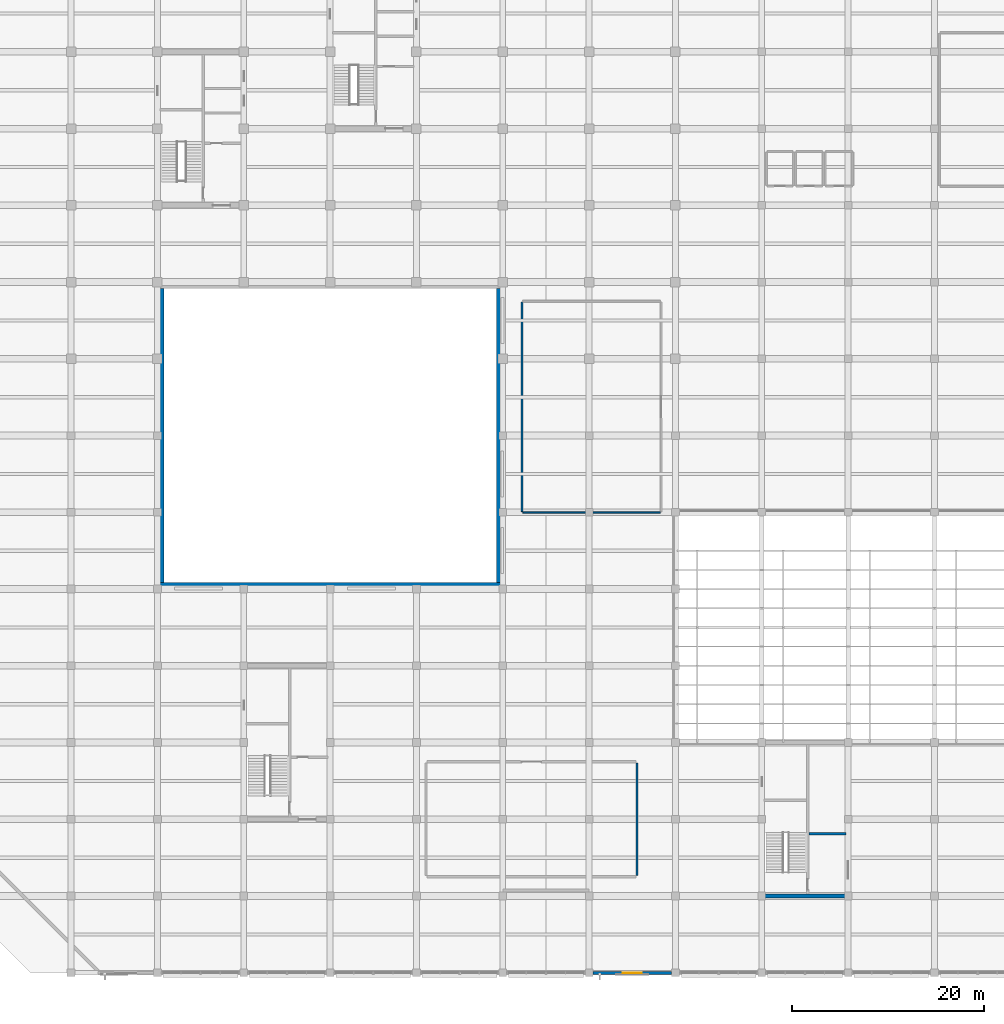
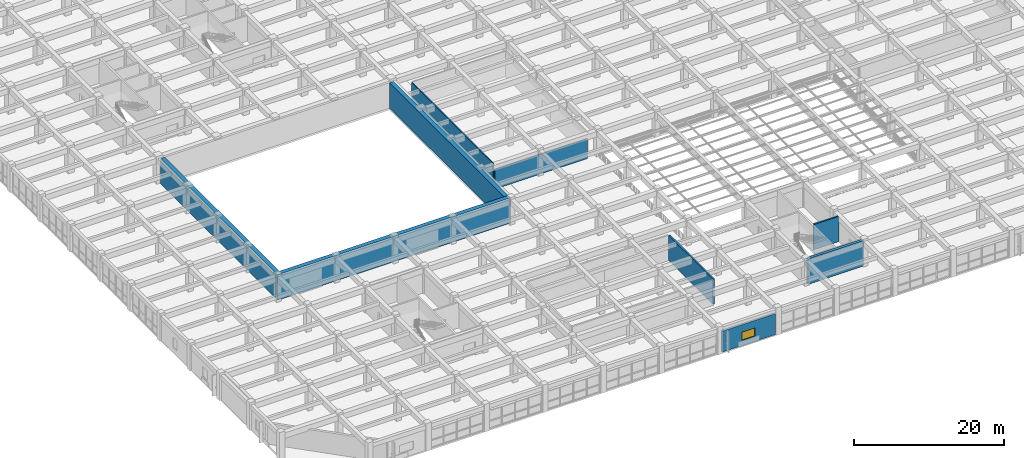
# One storey, part 26 of 50: 9 walls, 1 window, 1 opening.
"""IFC4 building model written with IfcOpenShell, lengths in metres."""

from ifc_helpers import new_model, si_unit, direction, frame, frame_2d, origin, place, context, subcontext, project, spatial, rectangle, extrude, material, layer, layer_set, type_object, element, fill, save


model = new_model("IFC4")

# Units and contexts
model_context = context("Model", 3, precision=1e-05, world=origin(), true_north=direction((0.0, 1.0)))
body_context = subcontext(model_context, "Body", "Model", "MODEL_VIEW")
ifc_project = project(units=[si_unit("LENGTHUNIT", "METRE"), si_unit("AREAUNIT", "SQUARE_METRE"), si_unit("VOLUMEUNIT", "CUBIC_METRE"), si_unit("PLANEANGLEUNIT", "RADIAN"), si_unit("MASSUNIT", "GRAM", prefix="KILO")], contexts=[model_context])

# Site, building, storey
site_placement = place(None, origin())
site = spatial("IfcSite", under=ifc_project, at=site_placement, CompositionType="ELEMENT")
building_placement = place(site_placement, origin())
building = spatial("IfcBuilding", under=site, at=building_placement, Name="Zaverband Oceanarium and Marine Research Institute", CompositionType="ELEMENT")
storey_placement = place(building_placement, frame((0.0, 0.0, 9.0)))
storey = spatial("IfcBuildingStorey", under=building, at=storey_placement, Name="L02", CompositionType="ELEMENT", Elevation=9.0)

# Wall
ifc_material_1 = material(Name="Concrete C50/60", Category="concrete")
ifc_layer_1 = layer(ifc_material_1, 0.449951171875, Name="Concrete C50/60")
ifc_layer_set_1 = layer_set([ifc_layer_1], Name="Concrete C50/60")
wall_type_1 = type_object("IfcWallType", Name="CW-02", PredefinedType="SHEAR", material=ifc_layer_set_1)
wall_1_placement = place(storey_placement, frame((81.22509765625, 8.0, 0.0), z_axis=(0.0, 0.0, 1.0), x_axis=(1.0, 0.0, 0.0)))
element("IfcWall", 1, at=wall_1_placement, inside=storey, type_object=wall_type_1, Name="Structural shear wall CW-02", PredefinedType="SHEAR", context=body_context, shape_type="SweptSolid", body=[
    extrude(rectangle(XDim=8.5498046875, YDim=0.449951171875, at=frame_2d((4.27490234375, 0.0))), origin(), (0.0, 0.0, 1.0), 4.139892578125),
])

# Wall, opening, window
ifc_material_2 = material(Name="Concrete C40/50 precast", Category="concrete")
ifc_layer_2 = layer(ifc_material_2, 0.31005859375, Name="Concrete C40/50 precast")
ifc_layer_set_2 = layer_set([ifc_layer_2], Name="Concrete C40/50 precast")
wall_type_2 = type_object("IfcWallType", Name="EW-310", PredefinedType="STANDARD", material=ifc_layer_set_2)
wall_2_placement = place(storey_placement, frame((63.405029296875, 0.0, 0.0), z_axis=(0.0, 0.0, 1.0), x_axis=(1.0, 0.0, 0.0)))
wall_2 = element("IfcWall", 2, at=wall_2_placement, inside=storey, type_object=wall_type_2, Name="Exterior infill wall EW-310", PredefinedType="STANDARD", context=body_context, shape_type="SweptSolid", body=[
    extrude(rectangle(XDim=8.18994140625, YDim=0.31005859375, at=frame_2d((4.094970703125, 0.0))), origin(), (0.0, 0.0, 1.0), 3.419921875),
])
opening_placement = place(wall_2_placement, frame((3.094970703125, 0.0, 0.85009765625)))
opening = element("IfcOpeningElement", 3, at=opening_placement, cuts=wall_2, Name="Opening WN-2000x1350", PredefinedType="OPENING", context=body_context, shape_type="SweptSolid", body=[
    extrude(rectangle(XDim=2.0, YDim=1.35009765625, at=frame_2d((1.0, 0.675048828125))), frame((0.0, 0.1669921875, 0.0), z_axis=(0.0, -1.0, 0.0), x_axis=(1.0, 0.0, 0.0)), (0.0, 0.0, 1.0), 0.333984375),
])
ifc_material_3 = material(Name="Thermally broken anodized aluminium and solar-control glass", Category="aluminium")
window_type = type_object("IfcWindowType", Name="WN-2000x1350", PartitioningType="SINGLE_PANEL", PredefinedType="WINDOW", material=ifc_material_3)
window_placement = place(opening_placement, origin())
window = element("IfcWindow", 4, at=window_placement, inside=storey, type_object=window_type, Name="Fixed / casement exterior window WN-2000x1350", OverallHeight=1.35009765625, OverallWidth=2.0, PartitioningType="SINGLE_PANEL", PredefinedType="WINDOW", context=body_context, shape_type="SweptSolid", body=[
    extrude(rectangle(XDim=2.0, YDim=1.35009765625, at=frame_2d((1.0, 0.675048828125))), frame((0.0, 0.030029296875, 0.0), z_axis=(0.0, -1.0, 0.0), x_axis=(1.0, 0.0, 0.0)), (0.0, 0.0, 1.0), 0.06005859375),
])
fill(opening, window)

# Walls
ifc_material_4 = material(Name="Corridor rated drywall partition")
ifc_layer_3 = layer(ifc_material_4, 0.1650390625, Name="Corridor rated drywall partition")
ifc_layer_set_3 = layer_set([ifc_layer_3], Name="Corridor rated drywall partition")
wall_type_3 = type_object("IfcWallType", Name="PT-165-CR", PredefinedType="PARTITIONING", material=ifc_layer_set_3)
wall_3_placement = place(storey_placement, frame((56.08251953125, 48.0, 0.0), z_axis=(0.0, 0.0, 1.0), x_axis=(1.0, 0.0, 0.0)))
element("IfcWall", 5, at=wall_3_placement, inside=storey, type_object=wall_type_3, Name="Internal partition PT-165-CR", PredefinedType="PARTITIONING", context=body_context, shape_type="SweptSolid", body=[
    extrude(rectangle(XDim=14.3349609375, YDim=0.1650390625, at=frame_2d((7.16748046875, 0.0))), origin(), (0.0, 0.0, 1.0), 3.239990234375),
])
wall_4_placement = place(storey_placement, frame((56.0, 48.08251953125, 0.0), z_axis=(0.0, 0.0, 1.0), x_axis=(0.0, 1.0, 0.0)))
element("IfcWall", 6, at=wall_4_placement, inside=storey, type_object=wall_type_3, Name="Internal partition PT-165-CR", PredefinedType="PARTITIONING", context=body_context, shape_type="SweptSolid", body=[
    extrude(rectangle(XDim=21.8349609375, YDim=0.1650390625, at=frame_2d((10.91748046875, 0.0))), origin(), (0.0, 0.0, 1.0), 4.139892578125),
])
ifc_material_5 = material(Name="Masonry concrete blockwork", Category="masonry")
ifc_layer_4 = layer(ifc_material_5, 0.239990234375, Name="Masonry concrete blockwork")
ifc_layer_set_4 = layer_set([ifc_layer_4], Name="Masonry concrete blockwork")
wall_type_4 = type_object("IfcWallType", Name="PT-240-AC", PredefinedType="PARTITIONING", material=ifc_layer_set_4)
wall_5_placement = place(storey_placement, frame((68.0, 10.1201171875, 0.0), z_axis=(0.0, 0.0, 1.0), x_axis=(0.0, 1.0, 0.0)))
element("IfcWall", 7, at=wall_5_placement, inside=storey, type_object=wall_type_4, Name="Acoustic partition PT-240-AC", PredefinedType="PARTITIONING", context=body_context, shape_type="SweptSolid", body=[
    extrude(rectangle(XDim=11.759765625, YDim=0.239990234375, at=frame_2d((5.8798828125, 0.0))), origin(), (0.0, 0.0, 1.0), 4.139892578125),
])
ifc_layer_5 = layer(ifc_material_1, 0.25, Name="Concrete C50/60")
ifc_layer_set_5 = layer_set([ifc_layer_5], Name="Concrete C50/60")
wall_type_5 = type_object("IfcWallType", Name="PW-CORE-250", PredefinedType="SOLIDWALL", material=ifc_layer_set_5)
wall_6_placement = place(storey_placement, frame((85.905029296875, 14.47509765625, 0.0), z_axis=(0.0, 0.0, 1.0), x_axis=(1.0, 0.0, 0.0)))
element("IfcWall", 8, at=wall_6_placement, inside=storey, type_object=wall_type_5, Name="Structural concrete wall PW-CORE-250", PredefinedType="SOLIDWALL", context=body_context, shape_type="SweptSolid", body=[
    extrude(rectangle(XDim=3.869873046875, YDim=0.25, at=frame_2d((1.93505859375, 0.0))), origin(), (0.0, 0.0, 1.0), 4.139892578125),
])
ifc_material_6 = material(Name="Concrete C45/55", Category="concrete")
ifc_layer_6 = layer(ifc_material_6, 0.64990234375, Name="Concrete C45/55")
ifc_layer_set_6 = layer_set([ifc_layer_6], Name="Concrete C45/55")
wall_type_6 = type_object("IfcWallType", Name="TW-01", PredefinedType="SHEAR", material=ifc_layer_set_6)
wall_7_placement = place(storey_placement, frame((18.02490234375, 40.35009765625, 0.0), z_axis=(0.0, 0.0, 1.0), x_axis=(1.0, 0.0, 0.0)))
element("IfcWall", 9, at=wall_7_placement, inside=storey, type_object=wall_type_6, Name="Marine tank wall TW-01", PredefinedType="SHEAR", context=body_context, shape_type="SweptSolid", body=[
    extrude(rectangle(XDim=35.9501953125, YDim=0.64990234375, at=frame_2d((17.97509765625, 0.0))), origin(), (0.0, 0.0, 1.0), 4.139892578125),
])
for number, where, z_axis, x_axis, name in (
    (10, (18.35009765625, 40.675048828125, 0.0), (0.0, 0.0, 1.0), (0.0, 1.0, 0.0), "Marine tank wall TW-01"),
    (11, (53.64990234375, 40.675048828125, 0.0), (0.0, 0.0, 1.0), (0.0, 1.0, 0.0), "Marine tank wall TW-01"),
):
    element("IfcWall", number, at=place(storey_placement, frame(where, z_axis=z_axis, x_axis=x_axis)), inside=storey, type_object=wall_type_6, Name=name, PredefinedType="SHEAR", context=body_context, shape_type="SweptSolid", body=[
        extrude(rectangle(XDim=30.64990234375, YDim=0.64990234375, at=frame_2d((15.324951171875, 0.0))), origin(), (0.0, 0.0, 1.0), 4.139892578125),
    ])

save(model, "model.ifc")
